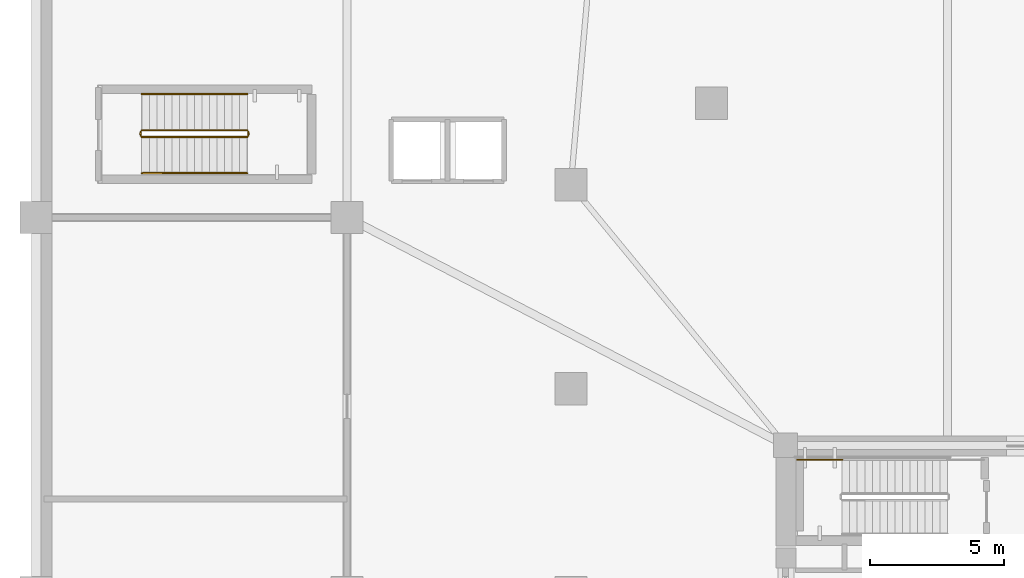
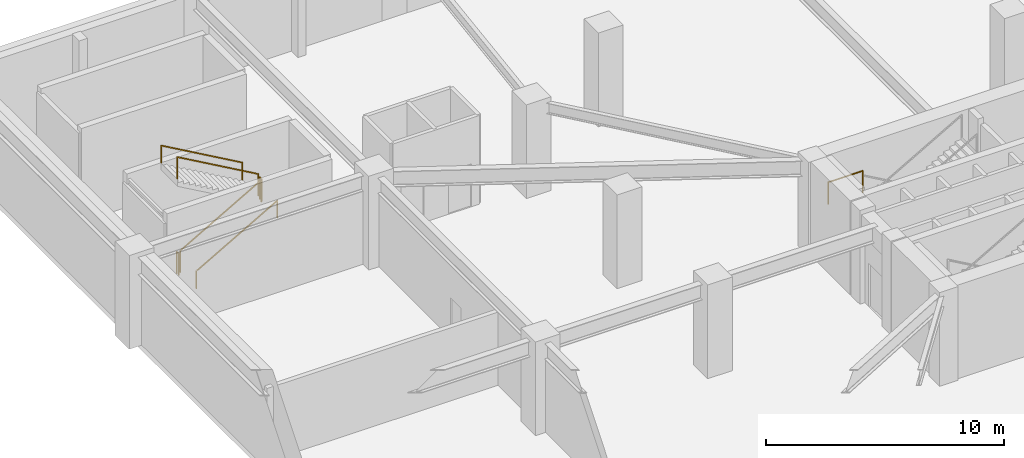
# One storey, part 11 of 13: 7 railings.
"""IFC4 building model written with IfcOpenShell, lengths in metres."""

from ifc_helpers import new_model, si_unit, direction, frame, origin, origin_2d, place, context, subcontext, project, spatial, rectangle, extrude, material, type_object, element, save


model = new_model("IFC4")

# Units and contexts
model_context = context("Model", 3, precision=1e-05, world=origin(), true_north=direction((0.0, 1.0)))
body_context = subcontext(model_context, "Body", "Model", "MODEL_VIEW")
ifc_project = project(units=[si_unit("LENGTHUNIT", "METRE"), si_unit("AREAUNIT", "SQUARE_METRE"), si_unit("VOLUMEUNIT", "CUBIC_METRE"), si_unit("PLANEANGLEUNIT", "RADIAN"), si_unit("MASSUNIT", "GRAM", prefix="KILO")], contexts=[model_context])

# Site, building, storey
site_placement = place(None, origin())
site = spatial("IfcSite", under=ifc_project, at=site_placement, CompositionType="ELEMENT")
building_placement = place(site_placement, origin())
building = spatial("IfcBuilding", under=site, at=building_placement, Name="Yunling Apex Tower", CompositionType="ELEMENT")
storey_placement = place(building_placement, frame((0.0, 0.0, -4.800048828125)))
storey = spatial("IfcBuildingStorey", under=building, at=storey_placement, Name="B01", CompositionType="ELEMENT", Elevation=-4.800048828125)

# Railings
ifc_material_1 = material(Name="Steel Q355B", Category="steel")
railing_type_1 = type_object("IfcRailingType", Name="RL-GRD-1150", PredefinedType="GUARDRAIL", material=ifc_material_1)
railing_1_placement = place(storey_placement, frame((-3.929931640625, 4.9599609375, 2.400146484375)))
element("IfcRailing", 1, at=railing_1_placement, inside=storey, type_object=railing_type_1, Name="B01 ST-1 stair guard 3", PredefinedType="GUARDRAIL", context=body_context, shape_type="SweptSolid", body=[
    extrude(rectangle(XDim=0.0439453125, YDim=0.0439453125, at=origin_2d()), origin(), (0.0, 0.0, 1.0), 1.14990234375),
    extrude(rectangle(XDim=0.0439453125, YDim=0.0439453125, at=origin_2d()), frame((-1.670166015625, 0.0, 0.0)), (0.0, 0.0, 1.0), 1.14990234375),
    extrude(rectangle(XDim=0.050048828125, YDim=0.050048828125, at=origin_2d()), frame((-0.038330078125, 0.0, 1.125), z_axis=(-1.0, 0.0, 0.0), x_axis=(0.0, -1.0, 0.0)), (0.0, 0.0, 1.0), 1.593505859375),
])
railing_2_placement = place(storey_placement, frame((-30.050048828125, 17.0, 0.16015625)))
element("IfcRailing", 2, at=railing_2_placement, inside=storey, type_object=railing_type_1, Name="B01 ST-P1 stair guard 1", PredefinedType="GUARDRAIL", context=body_context, shape_type="SweptSolid", body=[
    extrude(rectangle(XDim=0.0439453125, YDim=0.0439453125, at=origin_2d()), origin(), (0.0, 0.0, 1.0), 1.14990234375),
    extrude(rectangle(XDim=0.0439453125, YDim=0.0439453125, at=origin_2d()), frame((3.920166015625, 0.0, 2.239990234375)), (0.0, 0.0, 1.0), 1.14990234375),
    extrude(rectangle(XDim=0.050048828125, YDim=0.050048828125, at=origin_2d()), frame((0.033203125, 0.0, 1.143798828125), z_axis=(0.86825312469, 0.0, 0.496121468458), x_axis=(0.0, 1.0, 0.0)), (0.0, 0.0, 1.0), 4.438232421875),
])
railing_3_placement = place(storey_placement, frame((-26.080078125, 17.050048828125, 2.400146484375)))
element("IfcRailing", 3, at=railing_3_placement, inside=storey, type_object=railing_type_1, Name="B01 ST-P1 stair guard 2", PredefinedType="GUARDRAIL", context=body_context, shape_type="SweptSolid", body=[
    extrude(rectangle(XDim=0.0439453125, YDim=0.0439453125, at=origin_2d()), origin(), (0.0, 0.0, 1.0), 1.14990234375),
    extrude(rectangle(XDim=0.0439453125, YDim=0.0439453125, at=origin_2d()), frame((0.0, 0.14990234375, 0.0)), (0.0, 0.0, 1.0), 1.14990234375),
    extrude(rectangle(XDim=0.050048828125, YDim=0.050048828125, at=origin_2d()), frame((0.0, 0.038330078125, 1.125), z_axis=(0.0, 1.0, 0.0), x_axis=(-1.0, 0.0, 0.0)), (0.0, 0.0, 1.0), 0.0732421875),
])
railing_4_placement = place(storey_placement, frame((-26.1298828125, 17.25, 2.56005859375)))
element("IfcRailing", 4, at=railing_4_placement, inside=storey, type_object=railing_type_1, Name="B01 ST-P1 stair guard 3", PredefinedType="GUARDRAIL", context=body_context, shape_type="SweptSolid", body=[
    extrude(rectangle(XDim=0.0439453125, YDim=0.0439453125, at=origin_2d()), origin(), (0.0, 0.0, 1.0), 1.14990234375),
    extrude(rectangle(XDim=0.0439453125, YDim=0.0439453125, at=origin_2d()), frame((-3.920166015625, 0.0, 2.239990234375)), (0.0, 0.0, 1.0), 1.14990234375),
    extrude(rectangle(XDim=0.050048828125, YDim=0.050048828125, at=origin_2d()), frame((-0.033203125, 0.0, 1.143798828125), z_axis=(-0.86825312469, 0.0, 0.496121468458), x_axis=(0.0, -1.0, 0.0)), (0.0, 0.0, 1.0), 4.438232421875),
])
railing_5_placement = place(storey_placement, frame((-30.10009765625, 17.050048828125, 0.0)))
element("IfcRailing", 5, at=railing_5_placement, inside=storey, type_object=railing_type_1, Name="B01 ST-P1 stair guard 4", PredefinedType="GUARDRAIL", context=body_context, shape_type="SweptSolid", body=[
    extrude(rectangle(XDim=0.0439453125, YDim=0.0439453125, at=origin_2d()), origin(), (0.0, 0.0, 1.0), 1.14990234375),
    extrude(rectangle(XDim=0.0439453125, YDim=0.0439453125, at=origin_2d()), frame((0.0, 0.14990234375, 0.0)), (0.0, 0.0, 1.0), 1.14990234375),
    extrude(rectangle(XDim=0.050048828125, YDim=0.050048828125, at=origin_2d()), frame((0.0, 0.038330078125, 1.125), z_axis=(0.0, 1.0, 0.0), x_axis=(-1.0, 0.0, 0.0)), (0.0, 0.0, 1.0), 0.0732421875),
])
ifc_material_2 = material(Name="Silver anodised aluminium", Category="aluminium")
railing_type_2 = type_object("IfcRailingType", Name="RL-HND-900", PredefinedType="HANDRAIL", material=ifc_material_2)
railing_6_placement = place(storey_placement, frame((-30.050048828125, 15.64990234375, 0.16015625)))
element("IfcRailing", 6, at=railing_6_placement, inside=storey, type_object=railing_type_2, Name="B01 ST-P1 stair handrail 1", PredefinedType="HANDRAIL", context=body_context, shape_type="SweptSolid", body=[
    extrude(rectangle(XDim=0.0439453125, YDim=0.0439453125, at=origin_2d()), origin(), (0.0, 0.0, 1.0), 0.919921875),
    extrude(rectangle(XDim=0.0439453125, YDim=0.0439453125, at=origin_2d()), frame((3.920166015625, 0.0, 2.239990234375)), (0.0, 0.0, 1.0), 0.919921875),
    extrude(rectangle(XDim=0.050048828125, YDim=0.050048828125, at=origin_2d()), frame((0.033203125, 0.0, 0.913818359375), z_axis=(0.86825312469, 0.0, 0.496121468458), x_axis=(0.0, 1.0, 0.0)), (0.0, 0.0, 1.0), 4.438232421875),
])
railing_7_placement = place(storey_placement, frame((-26.1298828125, 18.60009765625, 2.56005859375)))
element("IfcRailing", 7, at=railing_7_placement, inside=storey, type_object=railing_type_2, Name="B01 ST-P1 stair handrail 2", PredefinedType="HANDRAIL", context=body_context, shape_type="SweptSolid", body=[
    extrude(rectangle(XDim=0.0439453125, YDim=0.0439453125, at=origin_2d()), origin(), (0.0, 0.0, 1.0), 0.919921875),
    extrude(rectangle(XDim=0.0439453125, YDim=0.0439453125, at=origin_2d()), frame((-3.920166015625, 0.0, 2.239990234375)), (0.0, 0.0, 1.0), 0.919921875),
    extrude(rectangle(XDim=0.050048828125, YDim=0.050048828125, at=origin_2d()), frame((-0.033203125, 0.0, 0.913818359375), z_axis=(-0.86825312469, 0.0, 0.496121468458), x_axis=(0.0, -1.0, 0.0)), (0.0, 0.0, 1.0), 4.438232421875),
])

save(model, "model.ifc")
